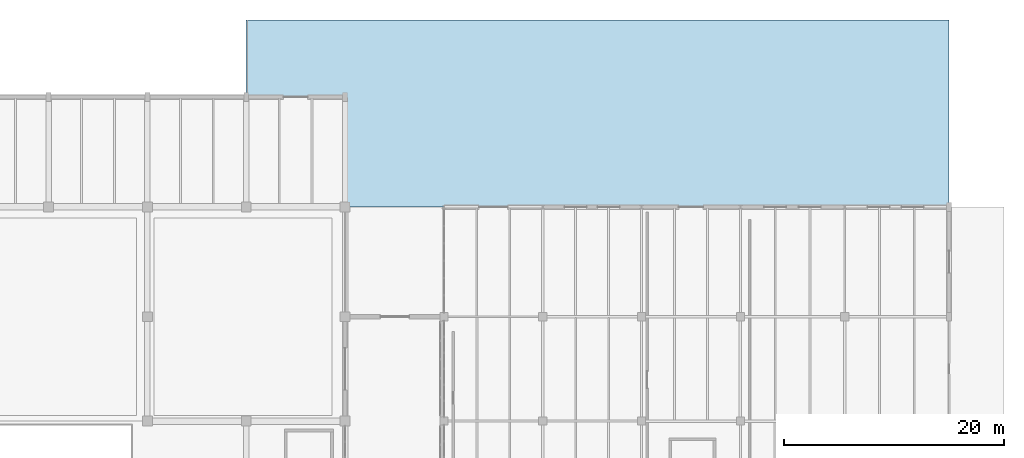
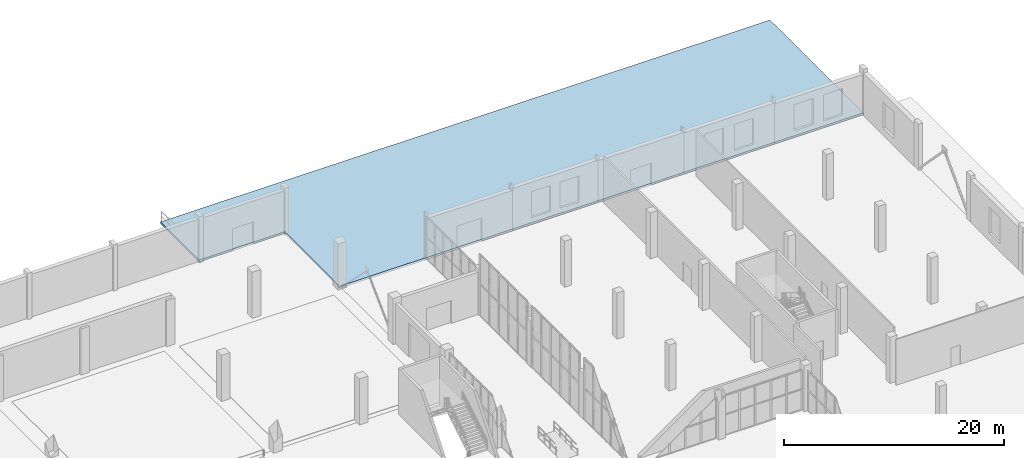
# One storey, part 77 of 103: 1 slab.
"""IFC4 building model written with IfcOpenShell, lengths in metres."""

from ifc_helpers import new_model, si_unit, direction, frame, origin, place, context, subcontext, project, spatial, polyline, outline, extrude, material, layer, layer_set, type_object, element, save


model = new_model("IFC4")

# Units and contexts
model_context = context("Model", 3, precision=1e-05, world=origin(), true_north=direction((0.0, 1.0)))
body_context = subcontext(model_context, "Body", "Model", "MODEL_VIEW")
ifc_project = project(units=[si_unit("LENGTHUNIT", "METRE"), si_unit("AREAUNIT", "SQUARE_METRE"), si_unit("VOLUMEUNIT", "CUBIC_METRE"), si_unit("PLANEANGLEUNIT", "RADIAN"), si_unit("MASSUNIT", "GRAM", prefix="KILO")], contexts=[model_context])

# Site, building, storey
site_placement = place(None, origin())
site = spatial("IfcSite", under=ifc_project, at=site_placement, CompositionType="ELEMENT")
building_placement = place(site_placement, origin())
building = spatial("IfcBuilding", under=site, at=building_placement, Name="Marnock Terrace Opera House", CompositionType="ELEMENT")
storey_placement = place(building_placement, origin())
storey = spatial("IfcBuildingStorey", under=building, at=storey_placement, Name="L00", CompositionType="ELEMENT", Elevation=0.0)

# Slab
ifc_material = material(Name="Concrete N32 (f'c = 32 MPa)", Category="concrete")
ifc_layer = layer(ifc_material, 0.239990234375)
ifc_layer_set = layer_set([ifc_layer], Name="Concrete N32 (f'c = 32 MPa)")
slab_type = type_object("IfcSlabType", Name="SL-APRON-240", PredefinedType="BASESLAB", material=ifc_layer_set)
slab_placement = place(storey_placement, frame((0.0, 0.0, -0.239990234375)))
element("IfcSlab", 1, at=slab_placement, inside=storey, type_object=slab_type, Name="North stage door and parklands east promenade apron", PredefinedType="BASESLAB", context=body_context, shape_type="SweptSolid", body=[
    extrude(outline(polyline([(100.0, 114.0), (100.0, 121.0), (164.0, 121.0), (164.0, 104.0), (109.0, 104.0), (109.0, 114.0), (100.0, 114.0)])), origin(), (0.0, 0.0, 1.0), 0.239990234375),
])

save(model, "model.ifc")
